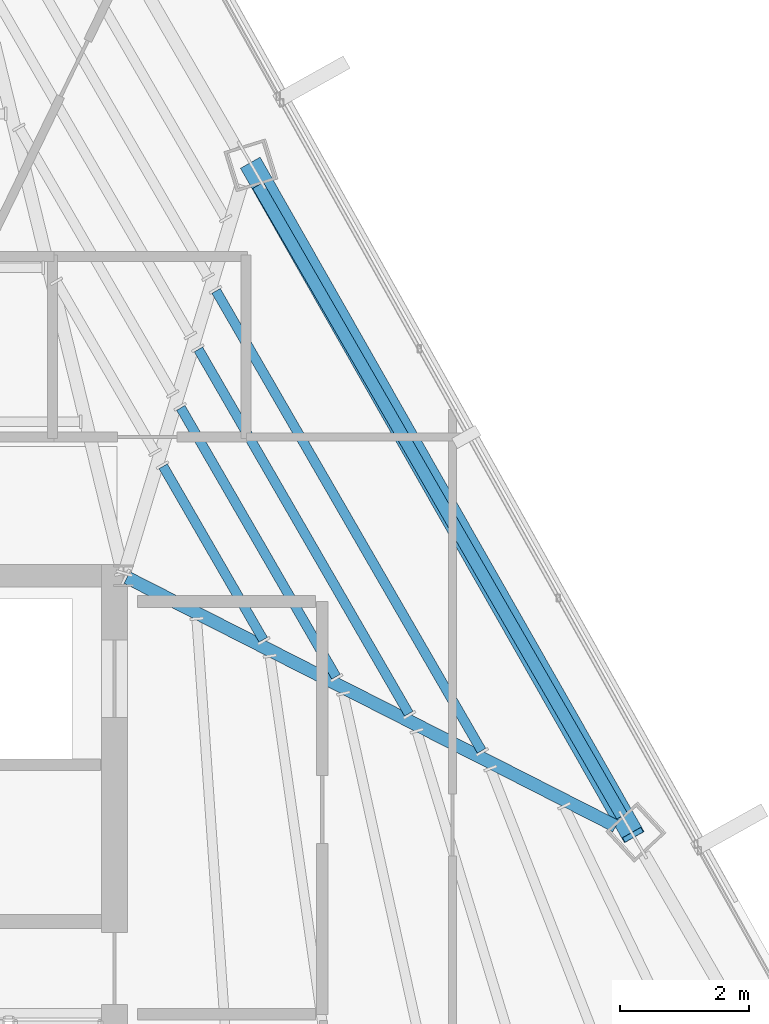
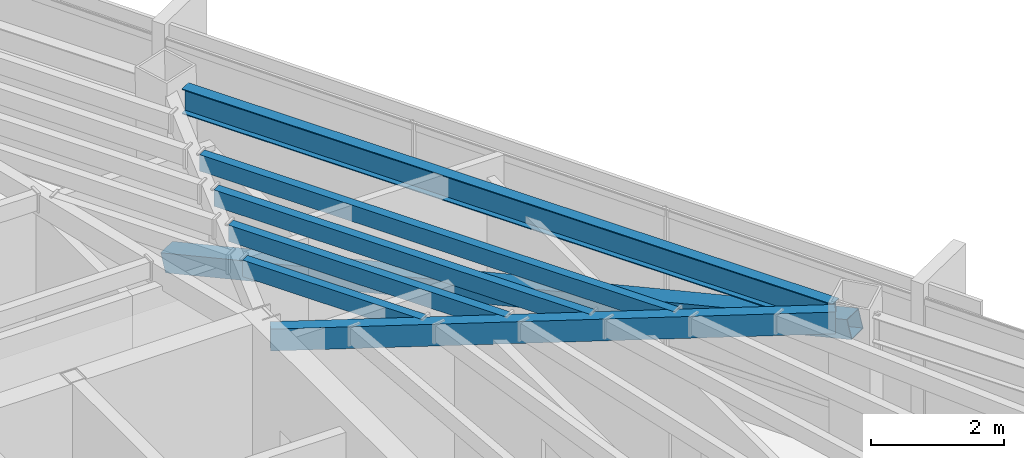
# One storey, part 26 of 48: 6 beams, 1 member.
"""IFC4 building model written with IfcOpenShell, lengths in metres."""

from ifc_helpers import new_model, si_unit, direction, frame, origin, origin_2d, place, context, subcontext, project, spatial, hollow_rectangle, i_section, extrude, source, transform, mapped, material, material_profile, profile_set, type_object, type_shapes, element, save


model = new_model("IFC4")

# Units and contexts
model_context = context("Model", 3, precision=1e-05, world=origin(), true_north=direction((0.0, 1.0)))
body_context = subcontext(model_context, "Body", "Model", "MODEL_VIEW")
ifc_project = project(units=[si_unit("LENGTHUNIT", "METRE"), si_unit("AREAUNIT", "SQUARE_METRE"), si_unit("VOLUMEUNIT", "CUBIC_METRE"), si_unit("PLANEANGLEUNIT", "RADIAN"), si_unit("MASSUNIT", "GRAM", prefix="KILO")], contexts=[model_context])

# Site, building, storey
site_placement = place(None, origin())
site = spatial("IfcSite", under=ifc_project, at=site_placement, CompositionType="ELEMENT")
building_placement = place(site_placement, origin())
building = spatial("IfcBuilding", under=site, at=building_placement, Name="Caelisora Broadcast Tower", CompositionType="ELEMENT")
storey_placement = place(building_placement, frame((0.0, 0.0, 270.0)))
storey = spatial("IfcBuildingStorey", under=building, at=storey_placement, Name="L71", CompositionType="ELEMENT", Elevation=270.0)

# Beams
ifc_material_1 = material(Name="Steel Grade 350 (AS/NZS 3679.1)", Category="steel")
ifc_material_profile_1 = material_profile(ifc_material_1, i_section(OverallWidth=0.19091796875, OverallDepth=0.46044921875, WebThickness=0.010009765625, FlangeThickness=0.01611328125, at=origin_2d()), Name="Steel Grade 350 (AS/NZS 3679.1)")
ifc_profile_set_1 = profile_set([ifc_material_profile_1], Name="Steel Grade 350 (AS/NZS 3679.1)")
beam_type_1 = type_object("IfcBeamType", Name="PG06", PredefinedType="BEAM", material=ifc_profile_set_1)
shared_shape_1 = source(origin(), body_context, "Body", "SweptSolid", [
    extrude(i_section(OverallWidth=0.19091796875, OverallDepth=0.46044921875, WebThickness=0.010009765625, FlangeThickness=0.01611328125, at=origin_2d()), origin(), (0.0, 0.0, 1.0), 11.2880859375),
])
type_shapes(beam_type_1, [shared_shape_1])
beam_1_placement = place(storey_placement, frame((53.22900390625, 26.275390625, 3.169921875), z_axis=(-0.500005156276, 0.866022426787, 0.0), x_axis=(-0.866022426787, -0.500005156276, 0.0)))
element("IfcBeam", 1, at=beam_1_placement, inside=storey, type_object=beam_type_1, Name="L71 beam PG06", PredefinedType="BEAM", context=body_context, shape_type="MappedRepresentation", body=[
    mapped(shared_shape_1, transform((0.0, 0.0, 0.0), scale=1.0)),
])
ifc_material_2 = material(Name="Steel Grade 350 (AS/NZS 1163 C350L0)", Category="steel")
ifc_material_profile_2 = material_profile(ifc_material_2, hollow_rectangle(XDim=0.199951171875, YDim=0.39990234375, WallThickness=0.012451171875, at=origin_2d()), Name="Steel Grade 350 (AS/NZS 1163 C350L0)")
ifc_profile_set_2 = profile_set([ifc_material_profile_2], Name="Steel Grade 350 (AS/NZS 1163 C350L0)")
beam_type_2 = type_object("IfcBeamType", Name="PG07", PredefinedType="BEAM", material=ifc_profile_set_2)
shared_shape_2 = source(origin(), body_context, "Body", "SweptSolid", [
    extrude(hollow_rectangle(XDim=0.199951171875, YDim=0.39990234375, WallThickness=0.012451171875, at=origin_2d()), origin(), (0.0, 0.0, 1.0), 8.5029296875),
])
type_shapes(beam_type_2, [shared_shape_2])
beam_2_placement = place(storey_placement, frame((45.553466796875, 29.972900390625, 3.199951171875), z_axis=(0.891310601634, -0.453393219418, 0.0), x_axis=(0.453393219418, 0.891310601634, 0.0)))
element("IfcBeam", 2, at=beam_2_placement, inside=storey, type_object=beam_type_2, Name="L71 beam PG07", PredefinedType="BEAM", context=body_context, shape_type="MappedRepresentation", body=[
    mapped(shared_shape_2, transform((0.0, 0.0, 0.0), scale=1.0)),
])
ifc_material_profile_3 = material_profile(ifc_material_2, hollow_rectangle(XDim=0.14990234375, YDim=0.300048828125, WallThickness=0.010009765625, at=origin_2d()), Name="Steel Grade 350 (AS/NZS 1163 C350L0)")
ifc_profile_set_3 = profile_set([ifc_material_profile_3], Name="Steel Grade 350 (AS/NZS 1163 C350L0)")
beam_type_3 = type_object("IfcBeamType", Name="SB05", PredefinedType="JOIST", material=ifc_profile_set_3)
shared_shape_3 = source(origin(), body_context, "Body", "SweptSolid", [
    extrude(hollow_rectangle(XDim=0.14990234375, YDim=0.300048828125, WallThickness=0.010009765625, at=origin_2d()), origin(), (0.0, 0.0, 1.0), 3.103759765625),
])
beam_3_placement = place(storey_placement, frame((47.66650390625, 29.00830078125, 3.25), z_axis=(-0.500022035744, 0.866012681068, 0.0), x_axis=(-0.866012681068, -0.500022035744, 0.0)))
element("IfcBeam", 3, at=beam_3_placement, inside=storey, type_object=beam_type_3, Name="L71 beam SB05", PredefinedType="JOIST", context=body_context, shape_type="MappedRepresentation", body=[
    mapped(shared_shape_3, transform((0.0, 0.0, 0.0), scale=1.0)),
])
shared_shape_4 = source(origin(), body_context, "Body", "SweptSolid", [
    extrude(hollow_rectangle(XDim=0.14990234375, YDim=0.300048828125, WallThickness=0.010009765625, at=origin_2d()), origin(), (0.0, 0.0, 1.0), 4.812744140625),
])
beam_4_placement = place(storey_placement, frame((48.794677734375, 28.4345703125, 3.25), z_axis=(-0.500018117281, 0.866014943515, 0.0), x_axis=(-0.866014943515, -0.500018117281, 0.0)))
element("IfcBeam", 4, at=beam_4_placement, inside=storey, type_object=beam_type_3, Name="L71 beam SB05", PredefinedType="JOIST", context=body_context, shape_type="MappedRepresentation", body=[
    mapped(shared_shape_4, transform((0.0, 0.0, 0.0), scale=1.0)),
])
shared_shape_5 = source(origin(), body_context, "Body", "SweptSolid", [
    extrude(hollow_rectangle(XDim=0.14990234375, YDim=0.300048828125, WallThickness=0.010009765625, at=origin_2d()), origin(), (0.0, 0.0, 1.0), 6.521728515625),
])
beam_5_placement = place(storey_placement, frame((49.9228515625, 27.860595703125, 3.25), z_axis=(-0.499971966783, 0.866041588165, 0.0), x_axis=(-0.866041588165, -0.499971966783, 0.0)))
element("IfcBeam", 5, at=beam_5_placement, inside=storey, type_object=beam_type_3, Name="L71 beam SB05", PredefinedType="JOIST", context=body_context, shape_type="MappedRepresentation", body=[
    mapped(shared_shape_5, transform((0.0, 0.0, 0.0), scale=1.0)),
])
shared_shape_6 = source(origin(), body_context, "Body", "SweptSolid", [
    extrude(hollow_rectangle(XDim=0.14990234375, YDim=0.300048828125, WallThickness=0.010009765625, at=origin_2d()), origin(), (0.0, 0.0, 1.0), 8.231201171875),
])
type_shapes(beam_type_3, [shared_shape_3, shared_shape_4, shared_shape_5, shared_shape_6])
beam_6_placement = place(storey_placement, frame((51.05126953125, 27.28662109375, 3.25), z_axis=(-0.499989474295, 0.866031480718, 0.0), x_axis=(-0.866031480718, -0.499989474295, 0.0)))
element("IfcBeam", 6, at=beam_6_placement, inside=storey, type_object=beam_type_3, Name="L71 beam SB05", PredefinedType="JOIST", context=body_context, shape_type="MappedRepresentation", body=[
    mapped(shared_shape_6, transform((0.0, 0.0, 0.0), scale=1.0)),
])

# Member
ifc_material_3 = material(Name="Steel Grade 450 (AS/NZS 1163 C450L0)", Category="steel")
ifc_material_profile_4 = material_profile(ifc_material_3, hollow_rectangle(XDim=0.35009765625, YDim=0.35009765625, WallThickness=0.012451171875, at=origin_2d()), Name="Steel Grade 450 (AS/NZS 1163 C450L0)")
ifc_profile_set_4 = profile_set([ifc_material_profile_4], Name="Steel Grade 450 (AS/NZS 1163 C450L0)")
member_type = type_object("IfcMemberType", Name="BR05", PredefinedType="BRACE", material=ifc_profile_set_4)
shared_shape_7 = source(origin(), body_context, "Body", "SweptSolid", [
    extrude(hollow_rectangle(XDim=0.35009765625, YDim=0.35009765625, WallThickness=0.012451171875, at=origin_2d()), origin(), (0.0, 0.0, 1.0), 12.318603515625),
])
type_shapes(member_type, [shared_shape_7])
member_placement = place(storey_placement, frame((53.39794921875, 25.982666015625, 3.10009765625), z_axis=(-0.47985197702, 0.842872324909, -0.243533004032), x_axis=(-0.869036752898, -0.49474753371, 0.0)))
element("IfcMember", 7, at=member_placement, inside=storey, type_object=member_type, Name="L71 perimeter brace BR05", PredefinedType="BRACE", context=body_context, shape_type="MappedRepresentation", body=[
    mapped(shared_shape_7, transform((0.0, 0.0, 0.0), scale=1.0)),
])

save(model, "model.ifc")
